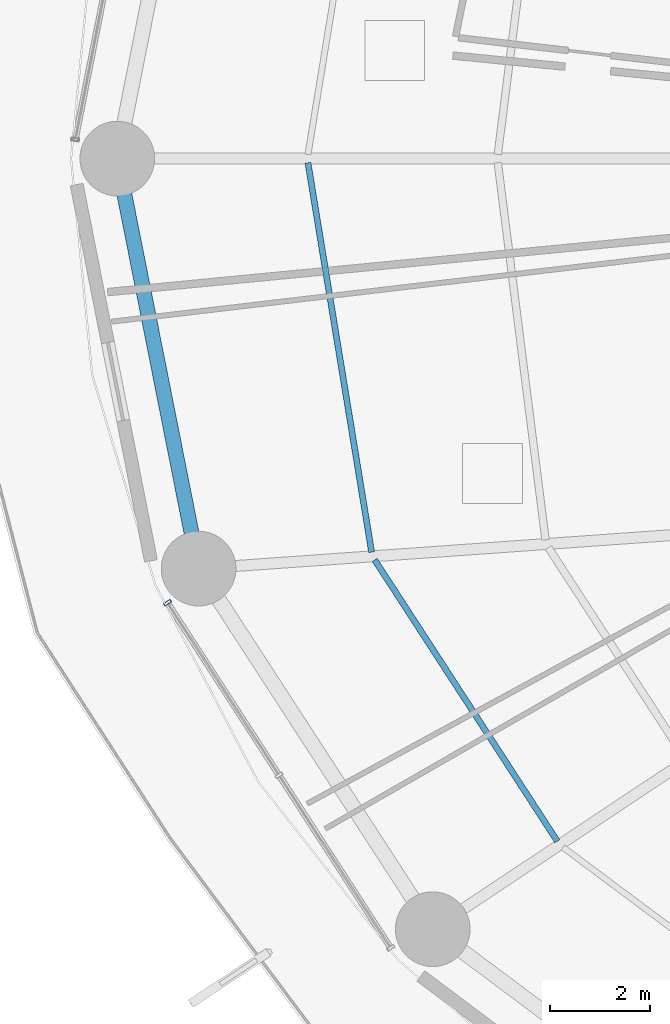
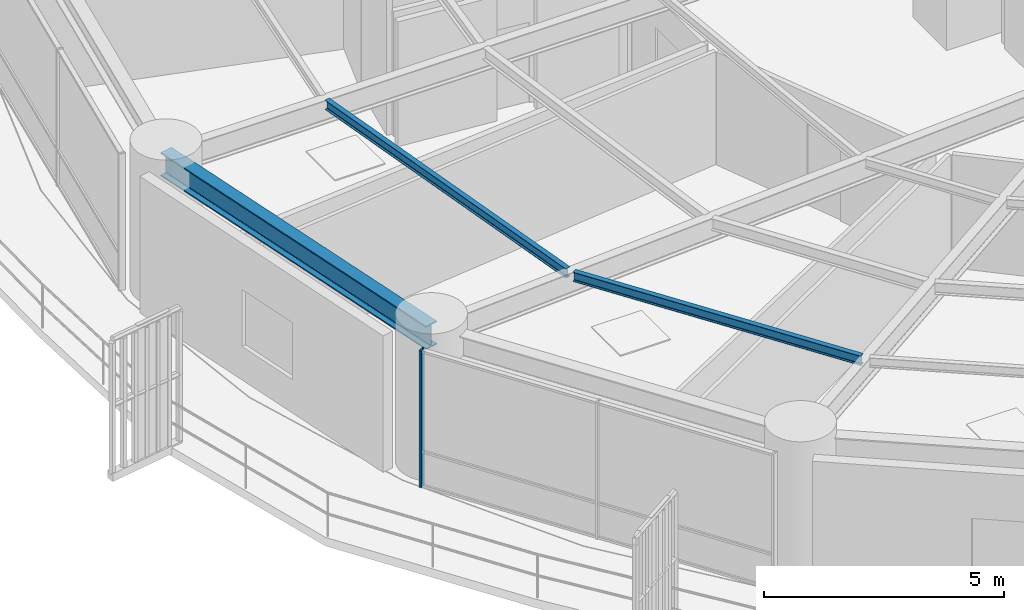
# One storey, part 4 of 33: 3 beams, 1 member, 1 element without a shape of its own.
"""IFC4 building model written with IfcOpenShell, lengths in metres."""

import ifcopenshell
import ifcopenshell.guid

model = None  # the IFC model being written
_history = None  # IfcOwnerHistory: only IFC2X3 demands one
_inside = {}  # id of a spatial element -> (the spatial element, [elements in it])
_under = {}  # id of a project, library or spatial element -> (it, [spatial elements below it])
_declared = {}  # id of a project -> (the project, [libraries it declares])
_typed = {}  # id of a type object -> (the type object, [elements of that type])
_made_of = {}  # id of a material, layer set ... -> (it, [elements and type objects made of it])


def new_model(schema):
    """Start an empty IFC model of exactly this schema.

    Asked for "IFC4X3", IfcOpenShell would pick the latest addendum, in which some entities
    have other attributes; the version numbers below select the first issue.
    IFC2X3 requires an IfcOwnerHistory on every rooted entity: one is made here for all.
    """
    global model, _history
    if schema == "IFC4X3":
        model = ifcopenshell.file(schema_version=(4, 3, 0, 0))
    else:
        model = ifcopenshell.file(schema=schema)
    _inside.clear()
    _under.clear()
    _declared.clear()
    _typed.clear()
    _made_of.clear()
    _history = None
    if model.schema == "IFC2X3":
        org = make("IfcOrganization", Name="unknown")
        user = make(
            "IfcPersonAndOrganization",
            ThePerson=make("IfcPerson", FamilyName="unknown"),
            TheOrganization=org,
        )
        app = make(
            "IfcApplication",
            ApplicationDeveloper=org,
            Version="unknown",
            ApplicationFullName="unknown",
            ApplicationIdentifier="unknown",
        )
        _history = make(
            "IfcOwnerHistory",
            OwningUser=user,
            OwningApplication=app,
            ChangeAction="ADDED",
            CreationDate=0,
        )
    return model


def make(cls, **values):
    """One entity of the class cls with the attributes given. An attribute that is None is left unset."""
    return model.create_entity(
        cls, **{name: value for name, value in values.items() if value is not None}
    )


def rooted(cls, **values):
    """An entity with a GlobalId (a new one), such as an element, a storey or a relation."""
    return make(cls, GlobalId=ifcopenshell.guid.new(), OwnerHistory=_history, **values)


def si_unit(unit_type, name, prefix=None):
    """IfcSIUnit, for example si_unit("LENGTHUNIT", "METRE", prefix="MILLI")."""
    return make("IfcSIUnit", UnitType=unit_type, Prefix=prefix, Name=name)


def assignment(units):
    """IfcUnitAssignment: the units of a project."""
    return None if units is None else make("IfcUnitAssignment", Units=units)


def point(xyz):
    """IfcCartesianPoint."""
    return None if xyz is None else make("IfcCartesianPoint", Coordinates=xyz)


def direction(xyz):
    """IfcDirection."""
    return None if xyz is None else make("IfcDirection", DirectionRatios=xyz)


def frame(location, z_axis=None, x_axis=None):
    """IfcAxis2Placement3D, a coordinate frame: its origin and axes. An axis left out is left unset."""
    return make(
        "IfcAxis2Placement3D",
        Location=point(location),
        Axis=direction(z_axis),
        RefDirection=direction(x_axis),
    )


def frame_2d(location, x_axis=None):
    """IfcAxis2Placement2D, a coordinate frame in the plane: its origin and x axis."""
    return make(
        "IfcAxis2Placement2D", Location=point(location), RefDirection=direction(x_axis)
    )


def origin():
    """The frame at (0, 0, 0) with its axes left unset."""
    return frame((0.0, 0.0, 0.0))


def origin_2d():
    """The frame at (0, 0) in the plane with its x axis left unset."""
    return frame_2d((0.0, 0.0))


def place(relative_to, where):
    """IfcLocalPlacement: puts the frame where relative to a parent placement (None: the world)."""
    return make(
        "IfcLocalPlacement", PlacementRelTo=relative_to, RelativePlacement=where
    )


def context(
    kind, dimensions, precision=None, world=None, true_north=None, identifier=None
):
    """IfcGeometricRepresentationContext, for example the 3D "Model" context."""
    return make(
        "IfcGeometricRepresentationContext",
        ContextIdentifier=identifier,
        ContextType=kind,
        CoordinateSpaceDimension=dimensions,
        Precision=precision,
        WorldCoordinateSystem=world,
        TrueNorth=true_north,
    )


def subcontext(parent, identifier, kind, view, scale=None):
    """IfcGeometricRepresentationSubContext, for example "Body" below "Model"."""
    return make(
        "IfcGeometricRepresentationSubContext",
        ContextIdentifier=identifier,
        ContextType=kind,
        ParentContext=parent,
        TargetScale=scale,
        TargetView=view,
    )


def project(units=None, contexts=None):
    """IfcProject with its units and contexts."""
    return rooted(
        "IfcProject",
        Name="project",
        RepresentationContexts=contexts,
        UnitsInContext=assignment(units),
    )


def spatial(cls, under=None, at=None, **own):
    """A site, building, storey or space (cls), placed at a placement, below another one or the project."""
    s = rooted(cls, ObjectPlacement=at, **own)
    if under is not None:
        _under.setdefault(under.id(), (under, []))[1].append(s)
    return s


def profile(cls, at=None, kind="AREA", **sizes):
    """A parametric profile (cls). Its sizes go by their IFC names, for example OverallWidth=200.0."""
    return make(cls, ProfileType=kind, Position=at, **sizes)


def hollow_rectangle(**sizes):
    """IfcRectangleHollowProfileDef."""
    return profile("IfcRectangleHollowProfileDef", **sizes)


def i_section(**sizes):
    """IfcIShapeProfileDef."""
    return profile("IfcIShapeProfileDef", **sizes)


def extrude(swept, where, along, depth):
    """IfcExtrudedAreaSolid: the profile swept, set in the frame where, extruded along a direction by depth."""
    return make(
        "IfcExtrudedAreaSolid",
        SweptArea=swept,
        Position=where,
        ExtrudedDirection=direction(along),
        Depth=depth,
    )


def shape(context_of_items, identifier, shape_type, items):
    """IfcShapeRepresentation: the items that make up one representation, for example the "Body"."""
    return make(
        "IfcShapeRepresentation",
        ContextOfItems=context_of_items,
        RepresentationIdentifier=identifier,
        RepresentationType=shape_type,
        Items=items,
    )


def material(Name=None, Category=None):
    """IfcMaterial."""
    return make("IfcMaterial", Name=Name, Category=Category)


def layer(
    of_material, thickness, ventilated=None, Name=None, Category=None, Priority=None
):
    """IfcMaterialLayer: one layer of a wall or slab, of a material (None: an air gap)."""
    return make(
        "IfcMaterialLayer",
        Material=of_material,
        LayerThickness=thickness,
        IsVentilated=ventilated,
        Name=Name,
        Category=Category,
        Priority=Priority,
    )


def layer_set(layers, Name=None):
    """IfcMaterialLayerSet."""
    return make("IfcMaterialLayerSet", MaterialLayers=layers, LayerSetName=Name)


def material_profile(
    of_material, cross_section, Name=None, Category=None, Priority=None
):
    """IfcMaterialProfile: a cross section and its material."""
    return make(
        "IfcMaterialProfile",
        Name=Name,
        Material=of_material,
        Profile=cross_section,
        Priority=Priority,
        Category=Category,
    )


def profile_set(profiles, Name=None, composite=None):
    """IfcMaterialProfileSet."""
    return make(
        "IfcMaterialProfileSet",
        Name=Name,
        MaterialProfiles=profiles,
        CompositeProfile=composite,
    )


def made_of(thing, what):
    """Note that an element or type object is made of a material, layer set ...; save() writes the relation."""
    if what is not None:
        _made_of.setdefault(what.id(), (what, []))[1].append(thing)
    return thing


def type_object(cls, material=None, **own):
    """A type object (cls), such as IfcWallType, which elements share."""
    return made_of(rooted(cls, **own), material)


def element(
    cls,
    number,
    at=None,
    inside=None,
    cuts=None,
    type_object=None,
    material=None,
    context=None,
    identifier="Body",
    shape_type=None,
    held_by="IfcProductDefinitionShape",
    body=None,
    shapes=None,
    **own,
):
    """One element of the class cls, such as IfcWall. Its Tag is "e" and its number.

    at: its placement. inside: the storey or other place that contains it. cuts: it is an
    opening in that element (IfcRelVoidsElement). A single representation is given by context,
    identifier, shape_type and body (its items); several are given by shapes. held_by: the class
    of the entity that holds the representations. save() writes the other relations.
    """
    e = rooted(cls, Tag="e%d" % number, ObjectPlacement=at, **own)
    if body is not None:
        shapes = [shape(context, identifier, shape_type, body)]
    if shapes is not None:
        e.Representation = make(held_by, Representations=shapes)
    if inside is not None:
        _inside.setdefault(inside.id(), (inside, []))[1].append(e)
    if cuts is not None:
        rooted(
            "IfcRelVoidsElement", RelatingBuildingElement=cuts, RelatedOpeningElement=e
        )
    if type_object is not None:
        _typed.setdefault(type_object.id(), (type_object, []))[1].append(e)
    return made_of(e, material)


def aggregate(whole, parts):
    """IfcRelAggregates: a whole, such as a stair, and the parts it consists of."""
    return rooted("IfcRelAggregates", RelatingObject=whole, RelatedObjects=parts)


def save(model, path):
    """Write the relations noted so far, then the file.

    IfcRelAggregates (storeys below a building ...), IfcRelContainedInSpatialStructure (elements
    in a storey), IfcRelDefinesByType, IfcRelAssociatesMaterial and IfcRelDeclares: one each for
    every whole, place, type object, material and project.
    """
    for whole, parts in _under.values():
        aggregate(whole, parts)
    for where, things in _inside.values():
        rooted(
            "IfcRelContainedInSpatialStructure",
            RelatedElements=things,
            RelatingStructure=where,
        )
    for kind, things in _typed.values():
        rooted("IfcRelDefinesByType", RelatedObjects=things, RelatingType=kind)
    for what, things in _made_of.values():
        rooted("IfcRelAssociatesMaterial", RelatedObjects=things, RelatingMaterial=what)
    for by, libraries in _declared.values():
        rooted("IfcRelDeclares", RelatingContext=by, RelatedDefinitions=libraries)
    model.write(path)


model = new_model("IFC4")

# Units and contexts
model_context = context("Model", 3, precision=1e-05, world=origin(), true_north=direction((0.0, 1.0)))
body_context = subcontext(model_context, "Body", "Model", "MODEL_VIEW")
ifc_project = project(units=[si_unit("LENGTHUNIT", "METRE"), si_unit("AREAUNIT", "SQUARE_METRE"), si_unit("VOLUMEUNIT", "CUBIC_METRE"), si_unit("PLANEANGLEUNIT", "RADIAN"), si_unit("MASSUNIT", "GRAM", prefix="KILO")], contexts=[model_context])

# Site, building, storey
site_placement = place(None, origin())
site = spatial("IfcSite", under=ifc_project, at=site_placement, CompositionType="ELEMENT")
building_placement = place(site_placement, origin())
building = spatial("IfcBuilding", under=site, at=building_placement, Name="Kelanora Arch Commons", CompositionType="ELEMENT")
storey_placement = place(building_placement, frame((0.0, 0.0, 45.0)))
storey = spatial("IfcBuildingStorey", under=building, at=storey_placement, Name="L11", CompositionType="ELEMENT", Elevation=45.0)

# Beams
ifc_material_1 = material(Name="Steel S355", Category="steel")
ifc_material_profile_1 = material_profile(ifc_material_1, i_section(OverallWidth=0.1201171875, OverallDepth=0.239990234375, WebThickness=0.006103515625, FlangeThickness=0.009765625, FilletRadius=0.014892578125, at=origin_2d()), Name="IPE240")
ifc_profile_set_1 = profile_set([ifc_material_profile_1], Name="Steel S355")
beam_type_1 = type_object("IfcBeamType", Name="BM-JST-02", PredefinedType="JOIST", material=ifc_profile_set_1)
beam_1_placement = place(storey_placement, frame((50.749755859375, 57.916015625, 3.3701171875), z_axis=(0.161400737199, -0.986888951216, 0.0), x_axis=(0.986888951216, 0.161400737199, 0.0)))
element("IfcBeam", 1, at=beam_1_placement, inside=storey, type_object=beam_type_1, Name="Secondary Chord Joist BJC-18 L11", PredefinedType="JOIST", context=body_context, shape_type="SweptSolid", body=[
    extrude(i_section(OverallWidth=0.1201171875, OverallDepth=0.239990234375, WebThickness=0.006103515625, FlangeThickness=0.009765625, FilletRadius=0.014892578125, at=origin_2d()), origin(), (0.0, 0.0, 1.0), 7.9248046875),
])
beam_2_placement = place(storey_placement, frame((52.0888671875, 49.940185546875, 3.3701171875), z_axis=(0.544550165372, -0.838728273873, 0.0), x_axis=(0.838728273873, 0.544550165372, 0.0)))
element("IfcBeam", 2, at=beam_2_placement, inside=storey, type_object=beam_type_1, Name="Secondary Chord Joist BJC-20 L11", PredefinedType="JOIST", context=body_context, shape_type="SweptSolid", body=[
    extrude(i_section(OverallWidth=0.1201171875, OverallDepth=0.239990234375, WebThickness=0.006103515625, FlangeThickness=0.009765625, FilletRadius=0.014892578125, at=origin_2d()), origin(), (0.0, 0.0, 1.0), 6.738037109375),
])
ifc_material_profile_2 = material_profile(ifc_material_1, i_section(OverallWidth=0.300048828125, OverallDepth=0.60009765625, WebThickness=0.015380859375, FlangeThickness=0.030029296875, FilletRadius=0.027099609375, at=origin_2d()), Name="HEB600")
ifc_profile_set_2 = profile_set([ifc_material_profile_2], Name="Steel S355")
beam_type_2 = type_object("IfcBeamType", Name="BM-SPN-Z1", PredefinedType="SPANDREL", material=ifc_profile_set_2)
beam_3_placement = place(storey_placement, frame((46.919921875, 58.0, 3.18994140625), z_axis=(0.194499827256, -0.980902552345, 0.0), x_axis=(0.980902552345, 0.194499827256, 0.0)))
element("IfcBeam", 3, at=beam_3_placement, inside=storey, type_object=beam_type_2, Name="Perimeter Spandrel Beam BS-18 L11", PredefinedType="SPANDREL", context=body_context, shape_type="SweptSolid", body=[
    extrude(i_section(OverallWidth=0.300048828125, OverallDepth=0.60009765625, WebThickness=0.015380859375, FlangeThickness=0.030029296875, FilletRadius=0.027099609375, at=origin_2d()), origin(), (0.0, 0.0, 1.0), 8.396240234375),
])

# Curtain wall, member
ifc_material_2 = material(Name="Terracotta ceramic-fritted low-E glass and aluminium", Category="masonry")
ifc_layer = layer(ifc_material_2, 0.159912109375)
ifc_layer_set = layer_set([ifc_layer], Name="Terracotta ceramic-fritted low-E glass and aluminium")
curtain_wall_type = type_object("IfcCurtainWallType", Name="CW-SYS-01", PredefinedType="NOTDEFINED", material=ifc_layer_set)
curtain_wall_placement = place(storey_placement, origin())
curtain_wall = element("IfcCurtainWall", 4, at=curtain_wall_placement, inside=storey, type_object=curtain_wall_type, Name="Unitised Curtain Wall L11-B10", PredefinedType="NOTDEFINED")
ifc_material_3 = material(Name="Powder-coated aluminium terracotta", Category="masonry")
ifc_material_profile_3 = material_profile(ifc_material_3, hollow_rectangle(XDim=0.159912109375, YDim=0.06005859375, WallThickness=0.0048828125, InnerFilletRadius=0.0048828125, OuterFilletRadius=0.010009765625, at=origin_2d()), Name="CWM160x60")
ifc_profile_set_3 = profile_set([ifc_material_profile_3], Name="Powder-coated aluminium terracotta")
member_type = type_object("IfcMemberType", Name="CWM-STD", PredefinedType="MULLION", material=ifc_profile_set_3)
member_placement = place(storey_placement, frame((47.927734375, 49.07958984375, 0.0), z_axis=(0.0, 0.0, 1.0), x_axis=(0.83972982332, 0.543004441812, 0.0)))
member = element("IfcMember", 5, at=member_placement, type_object=member_type, Name="CW-01 mullion 1", PredefinedType="MULLION", context=body_context, shape_type="SweptSolid", body=[
    extrude(hollow_rectangle(XDim=0.159912109375, YDim=0.06005859375, WallThickness=0.0048828125, InnerFilletRadius=0.0048828125, OuterFilletRadius=0.010009765625, at=origin_2d()), origin(), (0.0, 0.0, 1.0), 3.47509765625),
])
aggregate(curtain_wall, [member])

save(model, "model.ifc")
